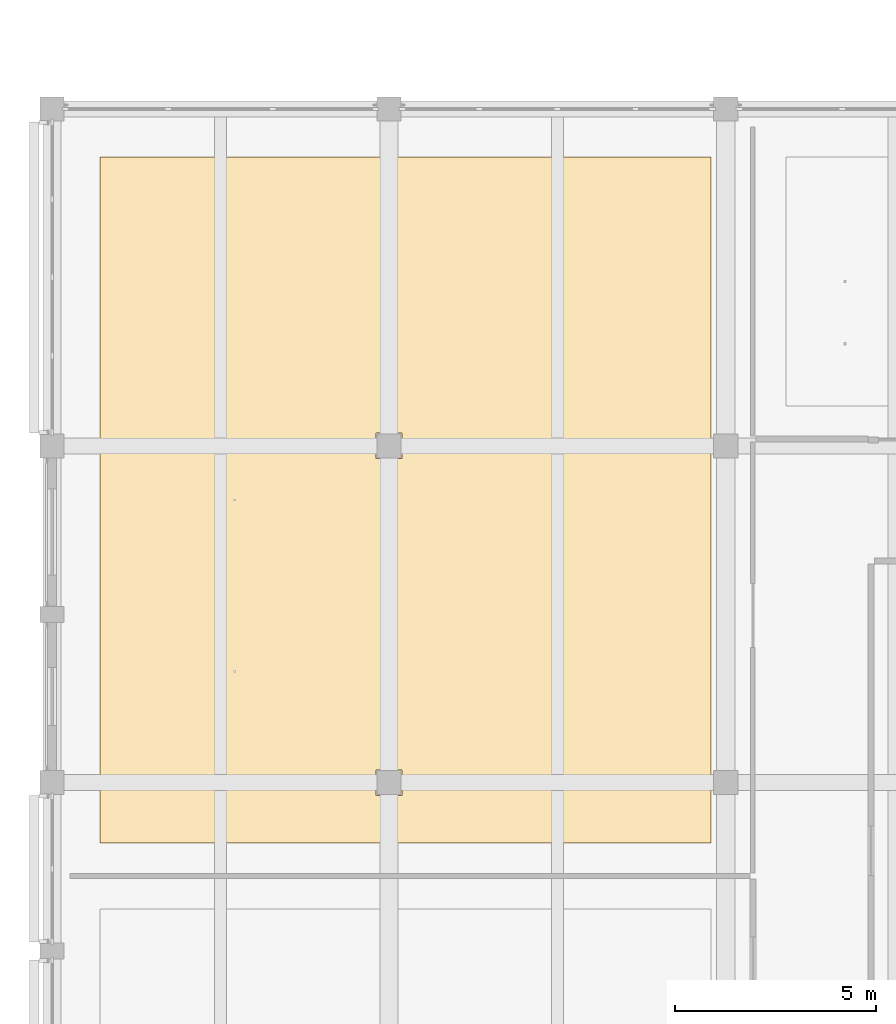
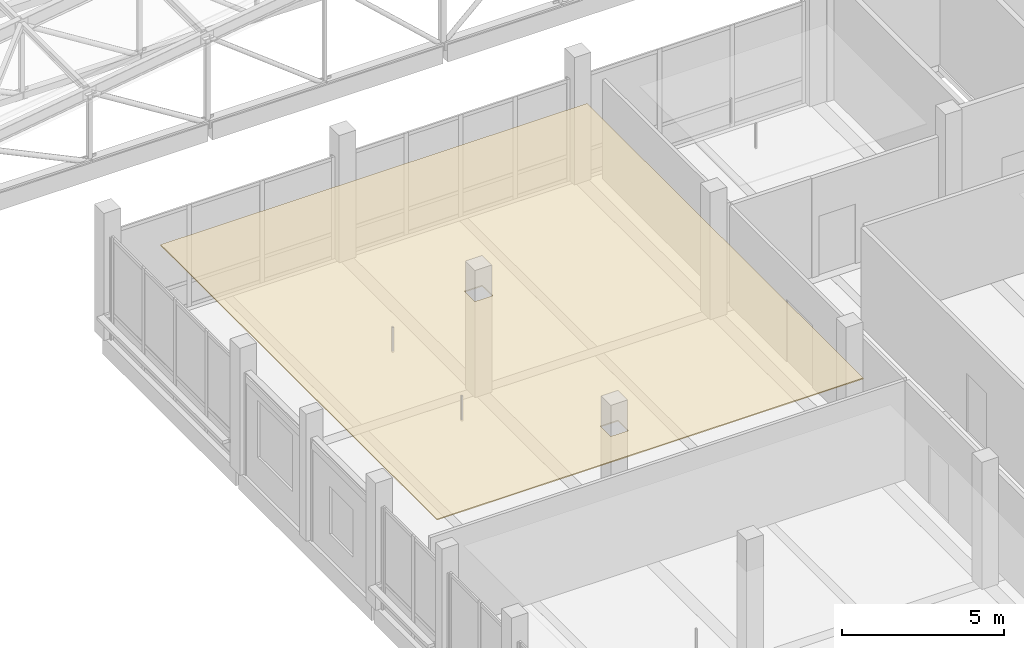
# One storey, part 101 of 122: 1 covering.
"""IFC4 building model written with IfcOpenShell, lengths in metres."""

from ifc_helpers import new_model, si_unit, direction, frame, origin, place, context, subcontext, project, spatial, polyline, outline, extrude, material, layer, layer_set, type_object, element, save


model = new_model("IFC4")

# Units and contexts
model_context = context("Model", 3, precision=1e-05, world=origin(), true_north=direction((0.0, 1.0)))
body_context = subcontext(model_context, "Body", "Model", "MODEL_VIEW")
ifc_project = project(units=[si_unit("LENGTHUNIT", "METRE"), si_unit("AREAUNIT", "SQUARE_METRE"), si_unit("VOLUMEUNIT", "CUBIC_METRE"), si_unit("PLANEANGLEUNIT", "RADIAN"), si_unit("MASSUNIT", "GRAM", prefix="KILO")], contexts=[model_context])

# Site, building, storey
site_placement = place(None, origin())
site = spatial("IfcSite", under=ifc_project, at=site_placement, CompositionType="ELEMENT")
building_placement = place(site_placement, origin())
building = spatial("IfcBuilding", under=site, at=building_placement, Name="Telukmera Botanical Conservatory", CompositionType="ELEMENT")
storey_placement = place(building_placement, frame((0.0, 0.0, 10.199951171875)))
storey = spatial("IfcBuildingStorey", under=building, at=storey_placement, Name="L02", CompositionType="ELEMENT", Elevation=10.199951171875)

# Covering
ifc_material = material(Name="Perforated gypsum acoustic ceiling")
ifc_layer = layer(ifc_material, 0.0400390625)
ifc_layer_set = layer_set([ifc_layer], Name="Perforated gypsum acoustic ceiling")
covering_type = type_object("IfcCoveringType", Name="COV-CEIL-40", PredefinedType="CEILING", material=ifc_layer_set)
covering_placement = place(storey_placement, frame((0.0, 0.0, 3.610107421875)))
element("IfcCovering", 1, at=covering_placement, inside=storey, type_object=covering_type, Name="L02 Visitor Centre Reference Gallery Suspended Acoustic Ceiling", PredefinedType="CEILING", context=body_context, shape_type="SweptSolid", body=[
    extrude(outline(polyline([(9.60009765625, 56.5), (24.830078125, 56.5), (24.830078125, 73.60009765625), (9.60009765625, 73.60009765625), (9.60009765625, 56.5)]), holes=[polyline([(16.47998046875, 57.679931640625), (17.1201171875, 57.679931640625), (17.1201171875, 58.320068359375), (16.47998046875, 58.320068359375), (16.47998046875, 57.679931640625)]), polyline([(16.47998046875, 66.080078125), (17.1201171875, 66.080078125), (17.1201171875, 66.719970703125), (16.47998046875, 66.719970703125), (16.47998046875, 66.080078125)])]), origin(), (0.0, 0.0, 1.0), 0.0400390625),
])

save(model, "model.ifc")
